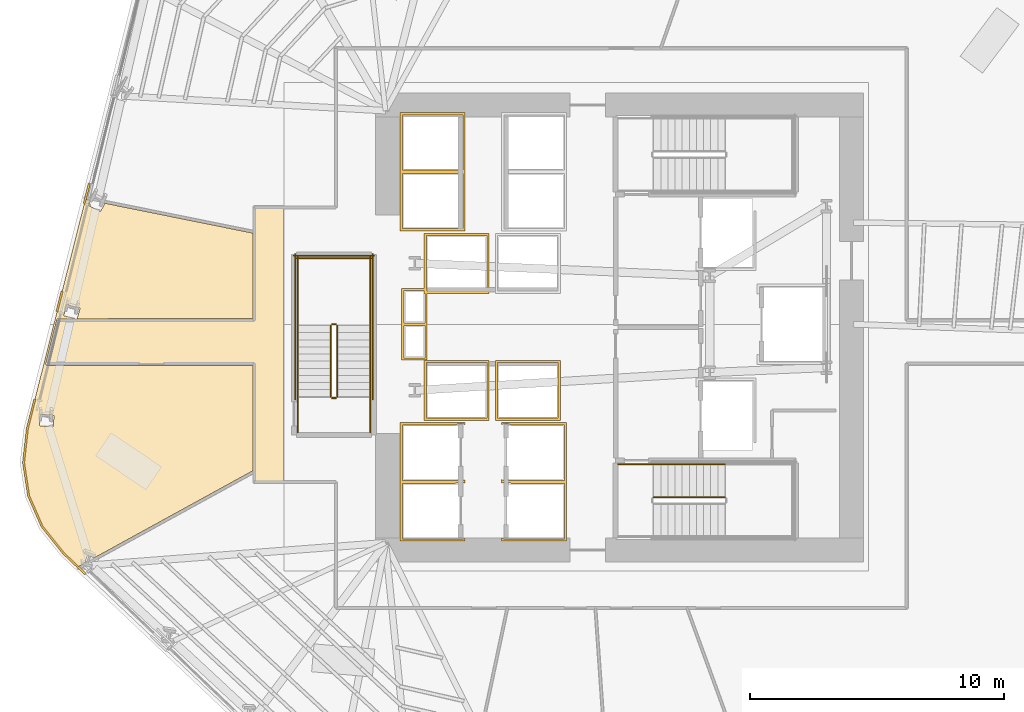
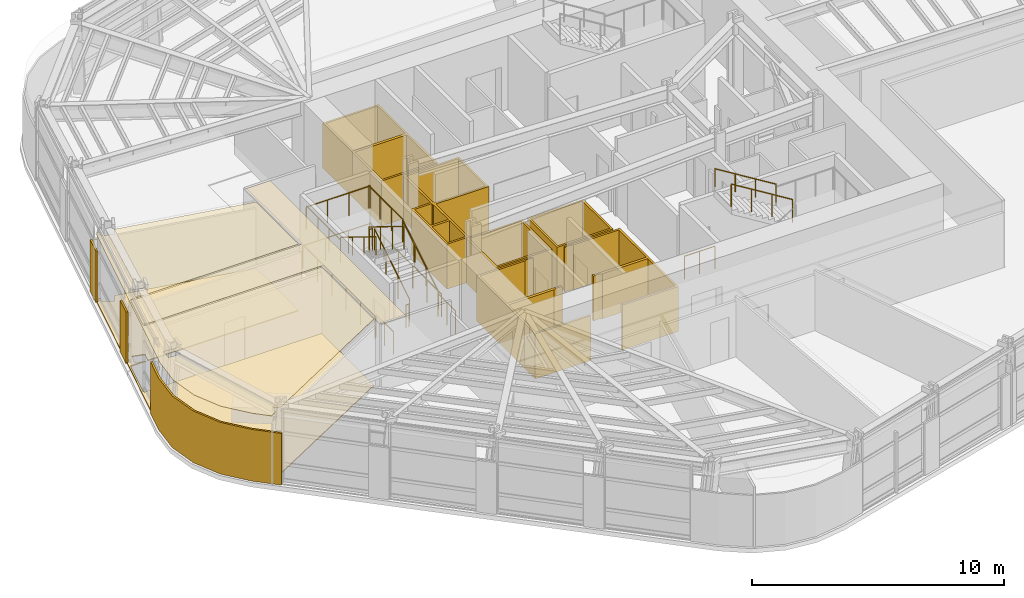
# One storey, part 11 of 15: 17 railings, 12 coverings.
"""IFC4 building model written with IfcOpenShell, lengths in metres."""

import ifcopenshell
import ifcopenshell.guid

model = None  # the IFC model being written
_history = None  # IfcOwnerHistory: only IFC2X3 demands one
_inside = {}  # id of a spatial element -> (the spatial element, [elements in it])
_under = {}  # id of a project, library or spatial element -> (it, [spatial elements below it])
_declared = {}  # id of a project -> (the project, [libraries it declares])
_typed = {}  # id of a type object -> (the type object, [elements of that type])
_made_of = {}  # id of a material, layer set ... -> (it, [elements and type objects made of it])


def new_model(schema):
    """Start an empty IFC model of exactly this schema.

    Asked for "IFC4X3", IfcOpenShell would pick the latest addendum, in which some entities
    have other attributes; the version numbers below select the first issue.
    IFC2X3 requires an IfcOwnerHistory on every rooted entity: one is made here for all.
    """
    global model, _history
    if schema == "IFC4X3":
        model = ifcopenshell.file(schema_version=(4, 3, 0, 0))
    else:
        model = ifcopenshell.file(schema=schema)
    _inside.clear()
    _under.clear()
    _declared.clear()
    _typed.clear()
    _made_of.clear()
    _history = None
    if model.schema == "IFC2X3":
        org = make("IfcOrganization", Name="unknown")
        user = make(
            "IfcPersonAndOrganization",
            ThePerson=make("IfcPerson", FamilyName="unknown"),
            TheOrganization=org,
        )
        app = make(
            "IfcApplication",
            ApplicationDeveloper=org,
            Version="unknown",
            ApplicationFullName="unknown",
            ApplicationIdentifier="unknown",
        )
        _history = make(
            "IfcOwnerHistory",
            OwningUser=user,
            OwningApplication=app,
            ChangeAction="ADDED",
            CreationDate=0,
        )
    return model


def make(cls, **values):
    """One entity of the class cls with the attributes given. An attribute that is None is left unset."""
    return model.create_entity(
        cls, **{name: value for name, value in values.items() if value is not None}
    )


def rooted(cls, **values):
    """An entity with a GlobalId (a new one), such as an element, a storey or a relation."""
    return make(cls, GlobalId=ifcopenshell.guid.new(), OwnerHistory=_history, **values)


def si_unit(unit_type, name, prefix=None):
    """IfcSIUnit, for example si_unit("LENGTHUNIT", "METRE", prefix="MILLI")."""
    return make("IfcSIUnit", UnitType=unit_type, Prefix=prefix, Name=name)


def assignment(units):
    """IfcUnitAssignment: the units of a project."""
    return None if units is None else make("IfcUnitAssignment", Units=units)


def point(xyz):
    """IfcCartesianPoint."""
    return None if xyz is None else make("IfcCartesianPoint", Coordinates=xyz)


def direction(xyz):
    """IfcDirection."""
    return None if xyz is None else make("IfcDirection", DirectionRatios=xyz)


def frame(location, z_axis=None, x_axis=None):
    """IfcAxis2Placement3D, a coordinate frame: its origin and axes. An axis left out is left unset."""
    return make(
        "IfcAxis2Placement3D",
        Location=point(location),
        Axis=direction(z_axis),
        RefDirection=direction(x_axis),
    )


def frame_2d(location, x_axis=None):
    """IfcAxis2Placement2D, a coordinate frame in the plane: its origin and x axis."""
    return make(
        "IfcAxis2Placement2D", Location=point(location), RefDirection=direction(x_axis)
    )


def origin():
    """The frame at (0, 0, 0) with its axes left unset."""
    return frame((0.0, 0.0, 0.0))


def origin_2d():
    """The frame at (0, 0) in the plane with its x axis left unset."""
    return frame_2d((0.0, 0.0))


def place(relative_to, where):
    """IfcLocalPlacement: puts the frame where relative to a parent placement (None: the world)."""
    return make(
        "IfcLocalPlacement", PlacementRelTo=relative_to, RelativePlacement=where
    )


def context(
    kind, dimensions, precision=None, world=None, true_north=None, identifier=None
):
    """IfcGeometricRepresentationContext, for example the 3D "Model" context."""
    return make(
        "IfcGeometricRepresentationContext",
        ContextIdentifier=identifier,
        ContextType=kind,
        CoordinateSpaceDimension=dimensions,
        Precision=precision,
        WorldCoordinateSystem=world,
        TrueNorth=true_north,
    )


def subcontext(parent, identifier, kind, view, scale=None):
    """IfcGeometricRepresentationSubContext, for example "Body" below "Model"."""
    return make(
        "IfcGeometricRepresentationSubContext",
        ContextIdentifier=identifier,
        ContextType=kind,
        ParentContext=parent,
        TargetScale=scale,
        TargetView=view,
    )


def project(units=None, contexts=None):
    """IfcProject with its units and contexts."""
    return rooted(
        "IfcProject",
        Name="project",
        RepresentationContexts=contexts,
        UnitsInContext=assignment(units),
    )


def spatial(cls, under=None, at=None, **own):
    """A site, building, storey or space (cls), placed at a placement, below another one or the project."""
    s = rooted(cls, ObjectPlacement=at, **own)
    if under is not None:
        _under.setdefault(under.id(), (under, []))[1].append(s)
    return s


def polyline(points):
    """IfcPolyline through the points."""
    return make("IfcPolyline", Points=[point(p) for p in points])


def profile(cls, at=None, kind="AREA", **sizes):
    """A parametric profile (cls). Its sizes go by their IFC names, for example OverallWidth=200.0."""
    return make(cls, ProfileType=kind, Position=at, **sizes)


def circle(**sizes):
    """IfcCircleProfileDef."""
    return profile("IfcCircleProfileDef", **sizes)


def outline(outer, holes=None, kind="AREA"):
    """IfcArbitraryClosedProfileDef: a profile drawn as a closed curve; with holes, ...WithVoids."""
    if holes is None:
        return make("IfcArbitraryClosedProfileDef", ProfileType=kind, OuterCurve=outer)
    return make(
        "IfcArbitraryProfileDefWithVoids",
        ProfileType=kind,
        OuterCurve=outer,
        InnerCurves=holes,
    )


def extrude(swept, where, along, depth):
    """IfcExtrudedAreaSolid: the profile swept, set in the frame where, extruded along a direction by depth."""
    return make(
        "IfcExtrudedAreaSolid",
        SweptArea=swept,
        Position=where,
        ExtrudedDirection=direction(along),
        Depth=depth,
    )


def shape(context_of_items, identifier, shape_type, items):
    """IfcShapeRepresentation: the items that make up one representation, for example the "Body"."""
    return make(
        "IfcShapeRepresentation",
        ContextOfItems=context_of_items,
        RepresentationIdentifier=identifier,
        RepresentationType=shape_type,
        Items=items,
    )


def material(Name=None, Category=None):
    """IfcMaterial."""
    return make("IfcMaterial", Name=Name, Category=Category)


def layer(
    of_material, thickness, ventilated=None, Name=None, Category=None, Priority=None
):
    """IfcMaterialLayer: one layer of a wall or slab, of a material (None: an air gap)."""
    return make(
        "IfcMaterialLayer",
        Material=of_material,
        LayerThickness=thickness,
        IsVentilated=ventilated,
        Name=Name,
        Category=Category,
        Priority=Priority,
    )


def layer_set(layers, Name=None):
    """IfcMaterialLayerSet."""
    return make("IfcMaterialLayerSet", MaterialLayers=layers, LayerSetName=Name)


def made_of(thing, what):
    """Note that an element or type object is made of a material, layer set ...; save() writes the relation."""
    if what is not None:
        _made_of.setdefault(what.id(), (what, []))[1].append(thing)
    return thing


def type_object(cls, material=None, **own):
    """A type object (cls), such as IfcWallType, which elements share."""
    return made_of(rooted(cls, **own), material)


def element(
    cls,
    number,
    at=None,
    inside=None,
    cuts=None,
    type_object=None,
    material=None,
    context=None,
    identifier="Body",
    shape_type=None,
    held_by="IfcProductDefinitionShape",
    body=None,
    shapes=None,
    **own,
):
    """One element of the class cls, such as IfcWall. Its Tag is "e" and its number.

    at: its placement. inside: the storey or other place that contains it. cuts: it is an
    opening in that element (IfcRelVoidsElement). A single representation is given by context,
    identifier, shape_type and body (its items); several are given by shapes. held_by: the class
    of the entity that holds the representations. save() writes the other relations.
    """
    e = rooted(cls, Tag="e%d" % number, ObjectPlacement=at, **own)
    if body is not None:
        shapes = [shape(context, identifier, shape_type, body)]
    if shapes is not None:
        e.Representation = make(held_by, Representations=shapes)
    if inside is not None:
        _inside.setdefault(inside.id(), (inside, []))[1].append(e)
    if cuts is not None:
        rooted(
            "IfcRelVoidsElement", RelatingBuildingElement=cuts, RelatedOpeningElement=e
        )
    if type_object is not None:
        _typed.setdefault(type_object.id(), (type_object, []))[1].append(e)
    return made_of(e, material)


def aggregate(whole, parts):
    """IfcRelAggregates: a whole, such as a stair, and the parts it consists of."""
    return rooted("IfcRelAggregates", RelatingObject=whole, RelatedObjects=parts)


def save(model, path):
    """Write the relations noted so far, then the file.

    IfcRelAggregates (storeys below a building ...), IfcRelContainedInSpatialStructure (elements
    in a storey), IfcRelDefinesByType, IfcRelAssociatesMaterial and IfcRelDeclares: one each for
    every whole, place, type object, material and project.
    """
    for whole, parts in _under.values():
        aggregate(whole, parts)
    for where, things in _inside.values():
        rooted(
            "IfcRelContainedInSpatialStructure",
            RelatedElements=things,
            RelatingStructure=where,
        )
    for kind, things in _typed.values():
        rooted("IfcRelDefinesByType", RelatedObjects=things, RelatingType=kind)
    for what, things in _made_of.values():
        rooted("IfcRelAssociatesMaterial", RelatedObjects=things, RelatingMaterial=what)
    for by, libraries in _declared.values():
        rooted("IfcRelDeclares", RelatingContext=by, RelatedDefinitions=libraries)
    model.write(path)


model = new_model("IFC4")

# Units and contexts
model_context = context("Model", 3, precision=1e-05, world=origin(), true_north=direction((0.0, 1.0)))
body_context = subcontext(model_context, "Body", "Model", "MODEL_VIEW")
ifc_project = project(units=[si_unit("LENGTHUNIT", "METRE"), si_unit("AREAUNIT", "SQUARE_METRE"), si_unit("VOLUMEUNIT", "CUBIC_METRE"), si_unit("PLANEANGLEUNIT", "RADIAN"), si_unit("MASSUNIT", "GRAM", prefix="KILO")], contexts=[model_context])

# Site, building, storey
site_placement = place(None, origin())
site = spatial("IfcSite", under=ifc_project, at=site_placement, CompositionType="ELEMENT")
building_placement = place(site_placement, origin())
building = spatial("IfcBuilding", under=site, at=building_placement, Name="Valkerne Bourse Tower", CompositionType="ELEMENT")
storey_placement = place(building_placement, frame((0.0, 0.0, 93.39990234375)))
storey = spatial("IfcBuildingStorey", under=building, at=storey_placement, Name="L23", CompositionType="ELEMENT", Elevation=93.39990234375)

# Coverings
ifc_material_1 = material(Name="Mineral Fiber Acoustic Ceiling Tile", Category="acoustic")
ifc_layer_1 = layer(ifc_material_1, 0.02490234375)
ifc_layer_set_1 = layer_set([ifc_layer_1], Name="Mineral Fiber Acoustic Ceiling Tile")
covering_type_1 = type_object("IfcCoveringType", Name="COV-CEIL-ACT", PredefinedType="CEILING", material=ifc_layer_set_1)
covering_1_placement = place(storey_placement, frame((0.0, 0.0, 3.22998046875)))
element("IfcCovering", 1, at=covering_1_placement, inside=storey, type_object=covering_type_1, Name="L23 Suspended Ceiling 05", PredefinedType="CEILING", context=body_context, shape_type="SweptSolid", body=[
    extrude(outline(polyline([(23.5703125, 20.251220703125), (23.37060546875, 21.555419921875), (23.516357421875, 22.876220703125), (25.797607421875, 31.914794921875), (26.012451171875, 31.87158203125), (25.913818359375, 31.679443359375), (25.912841796875, 31.676513671875), (26.392578125, 31.430908203125), (26.56201171875, 31.760498046875), (32.381103515625, 30.586181640625), (32.381103515625, 27.218994140625), (25.473388671875, 27.21728515625), (25.5869140625, 27.627685546875), (25.5869140625, 27.630859375), (25.0673828125, 27.7734375), (24.947998046875, 27.34130859375), (24.94775390625, 27.33837890625), (25.388671875, 27.21728515625), (24.718505859375, 27.217041015625), (24.68701171875, 27.199462890625), (24.66845703125, 27.16748046875), (24.237060546875, 25.44970703125), (24.256103515625, 25.40234375), (24.27783203125, 25.386962890625), (24.305908203125, 25.381103515625), (32.381103515625, 25.381103515625), (32.381103515625, 21.2373046875), (26.134521484375, 17.806640625), (25.881591796875, 17.896728515625), (25.778564453125, 17.611083984375), (25.506103515625, 17.461669921875), (24.931396484375, 18.006103515625), (24.1005859375, 19.042724609375), (23.5703125, 20.251220703125)]), holes=[polyline([(24.5654296875, 23.418212890625), (24.028564453125, 23.460693359375), (23.9921875, 23.013916015625), (23.992919921875, 23.0107421875), (24.52978515625, 22.96826171875), (24.566162109375, 23.414794921875), (24.5654296875, 23.418212890625)])]), origin(), (0.0, 0.0, 1.0), 0.025146484375),
])
ifc_material_2 = material(Name="Bronze Anodised Aluminium AA 6063-T6", Category="aluminium")
ifc_layer_2 = layer(ifc_material_2, 0.030029296875)
ifc_layer_set_2 = layer_set([ifc_layer_2], Name="Bronze Anodised Aluminium AA 6063-T6")
covering_type_2 = type_object("IfcCoveringType", Name="COV-CEIL-METAL", PredefinedType="CEILING", material=ifc_layer_set_2)
covering_2_placement = place(storey_placement, frame((0.0, 0.0, 3.22998046875)))
element("IfcCovering", 2, at=covering_2_placement, inside=storey, type_object=covering_type_2, Name="L23 Suspended Ceiling 02", PredefinedType="CEILING", context=body_context, shape_type="SweptSolid", body=[
    extrude(outline(polyline([(32.4541015625, 20.803955078125), (32.4541015625, 25.4541015625), (24.311279296875, 25.4541015625), (24.73828125, 27.14599609375), (32.4541015625, 27.14599609375), (32.4541015625, 31.595947265625), (33.60009765625, 31.595947265625), (33.60009765625, 20.803955078125), (32.4541015625, 20.803955078125)])), origin(), (0.0, 0.0, 1.0), 0.025146484375),
])
ifc_layer_3 = layer(ifc_material_2, 0.06005859375)
ifc_layer_set_3 = layer_set([ifc_layer_3], Name="Bronze Anodised Aluminium AA 6063-T6")
covering_type_3 = type_object("IfcCoveringType", Name="COV-CRN-ALUM", PredefinedType="CLADDING", material=ifc_layer_set_3)
covering_3_placement = place(storey_placement, origin())
element("IfcCovering", 3, at=covering_3_placement, inside=storey, type_object=covering_type_3, Name="L23 Wind-Shaped Corner Aluminium Cladding 09", PredefinedType="CLADDING", context=body_context, shape_type="SweptSolid", body=[
    extrude(outline(polyline([(24.898681640625, 17.97607421875), (24.062744140625, 19.02001953125), (23.527587890625, 20.23876953125), (23.326171875, 21.554443359375), (23.472900390625, 22.8837890625), (23.7705078125, 24.0625), (23.84814453125, 24.04345703125), (23.552001953125, 22.86962890625), (23.406982421875, 21.55615234375), (23.60498046875, 20.26123046875), (24.131591796875, 19.061767578125), (24.957763671875, 18.030517578125), (25.8369140625, 17.197998046875), (25.781494140625, 17.140380859375), (24.898681640625, 17.97607421875)])), origin(), (0.0, 0.0, 1.0), 2.5),
])
covering_4_placement = place(storey_placement, origin())
element("IfcCovering", 4, at=covering_4_placement, inside=storey, type_object=covering_type_3, Name="L23 Wind-Shaped Corner Aluminium Cladding 10", PredefinedType="CLADDING", context=body_context, shape_type="SweptSolid", body=[
    extrude(outline(polyline([(24.843017578125, 28.312255859375), (24.920654296875, 28.293212890625), (24.715087890625, 27.478759765625), (24.637451171875, 27.497802734375), (24.843017578125, 28.312255859375)])), origin(), (0.0, 0.0, 1.0), 2.5),
])
covering_5_placement = place(storey_placement, origin())
element("IfcCovering", 5, at=covering_5_placement, inside=storey, type_object=covering_type_3, Name="L23 Wind-Shaped Corner Aluminium Cladding 11", PredefinedType="CLADDING", context=body_context, shape_type="SweptSolid", body=[
    extrude(outline(polyline([(25.91552734375, 32.562255859375), (25.993408203125, 32.543212890625), (25.78759765625, 31.728515625), (25.7099609375, 31.747802734375), (25.91552734375, 32.562255859375)])), origin(), (0.0, 0.0, 1.0), 2.5),
])
ifc_material_3 = material(Name="Galvanised Painted Steel", Category="steel")
ifc_layer_4 = layer(ifc_material_3, 0.044921875)
ifc_layer_set_4 = layer_set([ifc_layer_4], Name="Galvanised Painted Steel")
covering_type_4 = type_object("IfcCoveringType", Name="COV-FLR-RAF", PredefinedType="FLOORING", material=ifc_layer_set_4)
covering_6_placement = place(storey_placement, origin())
element("IfcCovering", 6, at=covering_6_placement, inside=storey, type_object=covering_type_4, Name="L23 Floor Finish 05", PredefinedType="FLOORING", context=body_context, shape_type="SweptSolid", body=[
    extrude(outline(polyline([(23.5703125, 20.251220703125), (23.37060546875, 21.555419921875), (23.516357421875, 22.876220703125), (25.797607421875, 31.914794921875), (26.012451171875, 31.87158203125), (25.913818359375, 31.679443359375), (25.912841796875, 31.676513671875), (26.392578125, 31.430908203125), (26.56201171875, 31.760498046875), (32.381103515625, 30.586181640625), (32.381103515625, 27.218994140625), (25.473388671875, 27.21728515625), (25.5869140625, 27.627685546875), (25.5869140625, 27.630859375), (25.0673828125, 27.7734375), (24.947998046875, 27.34130859375), (24.94775390625, 27.33837890625), (25.388671875, 27.21728515625), (24.718505859375, 27.217041015625), (24.68701171875, 27.199462890625), (24.66845703125, 27.16748046875), (24.237060546875, 25.44970703125), (24.256103515625, 25.40234375), (24.27783203125, 25.386962890625), (24.305908203125, 25.381103515625), (32.381103515625, 25.381103515625), (32.381103515625, 21.2373046875), (26.134521484375, 17.806640625), (25.881591796875, 17.896728515625), (25.778564453125, 17.611083984375), (25.506103515625, 17.461669921875), (24.931396484375, 18.006103515625), (24.1005859375, 19.042724609375), (23.5703125, 20.251220703125)]), holes=[polyline([(24.5654296875, 23.418212890625), (24.028564453125, 23.460693359375), (23.9921875, 23.013916015625), (23.992919921875, 23.0107421875), (24.52978515625, 22.96826171875), (24.566162109375, 23.414794921875), (24.5654296875, 23.418212890625)])]), origin(), (0.0, 0.0, 1.0), 0.045166015625),
])
ifc_material_4 = material(Name="Gypsum Shaftwall Liner Board", Category="gypsum")
ifc_layer_5 = layer(ifc_material_4, 0.080078125)
ifc_layer_set_5 = layer_set([ifc_layer_5], Name="Gypsum Shaftwall Liner Board")
covering_type_5 = type_object("IfcCoveringType", Name="COV-SHF-CLAD", PredefinedType="CLADDING", material=ifc_layer_set_5)
covering_7_placement = place(storey_placement, origin())
element("IfcCovering", 7, at=covering_7_placement, inside=storey, type_object=covering_type_5, Name="L23 Hoistway & Riser Shaftwall Liner 01", PredefinedType="CLADDING", context=body_context, shape_type="SweptSolid", body=[
    extrude(outline(polyline([(38.169921875, 23.1298828125), (40.72998046875, 23.1298828125), (40.72998046875, 23.052001953125), (40.72216796875, 23.0556640625), (40.6806640625, 23.070556640625), (40.6376953125, 23.081298828125), (40.593994140625, 23.087890625), (40.550048828125, 23.090087890625), (40.505859375, 23.087890625), (40.462158203125, 23.081298828125), (40.41943359375, 23.070556640625), (40.377685546875, 23.0556640625), (40.344482421875, 23.0400390625), (38.260009765625, 23.0400390625), (38.260009765625, 20.860107421875), (40.456787109375, 20.860107421875), (40.462158203125, 20.858642578125), (40.505859375, 20.852294921875), (40.550048828125, 20.85009765625), (40.593994140625, 20.852294921875), (40.6376953125, 20.858642578125), (40.6806640625, 20.869384765625), (40.72216796875, 20.88427734375), (40.72998046875, 20.887939453125), (40.72998046875, 20.830078125), (40.72998046875, 20.77001953125), (40.72998046875, 20.752197265625), (40.72216796875, 20.755615234375), (40.6806640625, 20.7705078125), (40.6376953125, 20.781494140625), (40.593994140625, 20.787841796875), (40.550048828125, 20.7900390625), (40.505859375, 20.787841796875), (40.462158203125, 20.781494140625), (40.41943359375, 20.7705078125), (40.377685546875, 20.755615234375), (40.344482421875, 20.739990234375), (38.260009765625, 20.739990234375), (38.260009765625, 18.56005859375), (40.456787109375, 18.56005859375), (40.462158203125, 18.55859375), (40.505859375, 18.55224609375), (40.550048828125, 18.550048828125), (40.593994140625, 18.55224609375), (40.6376953125, 18.55859375), (40.6806640625, 18.5693359375), (40.72216796875, 18.584228515625), (40.72998046875, 18.587890625), (40.72998046875, 18.469970703125), (38.169921875, 18.469970703125), (38.169921875, 20.77001953125), (38.169921875, 20.830078125), (38.169921875, 23.1298828125)])), origin(), (0.0, 0.0, 1.0), 2.18017578125),
])
covering_8_placement = place(storey_placement, origin())
element("IfcCovering", 8, at=covering_8_placement, inside=storey, type_object=covering_type_5, Name="L23 Hoistway & Riser Shaftwall Liner 02", PredefinedType="CLADDING", context=body_context, shape_type="SweptSolid", body=[
    extrude(outline(polyline([(41.679931640625, 23.219970703125), (39.1201171875, 23.219970703125), (39.1201171875, 25.580078125), (41.679931640625, 25.580078125), (41.679931640625, 23.219970703125)]), holes=[polyline([(39.2099609375, 25.489990234375), (39.2099609375, 23.31005859375), (41.590087890625, 23.31005859375), (41.590087890625, 25.489990234375), (39.2099609375, 25.489990234375)])]), origin(), (0.0, 0.0, 1.0), 2.18017578125),
])
covering_9_placement = place(storey_placement, origin())
element("IfcCovering", 9, at=covering_9_placement, inside=storey, type_object=covering_type_5, Name="L23 Hoistway & Riser Shaftwall Liner 03", PredefinedType="CLADDING", context=body_context, shape_type="SweptSolid", body=[
    extrude(outline(polyline([(44.47998046875, 23.219970703125), (41.919921875, 23.219970703125), (41.919921875, 25.580078125), (44.47998046875, 25.580078125), (44.47998046875, 23.219970703125)]), holes=[polyline([(42.010009765625, 25.489990234375), (42.010009765625, 23.31005859375), (44.389892578125, 23.31005859375), (44.389892578125, 25.489990234375), (42.010009765625, 25.489990234375)])]), origin(), (0.0, 0.0, 1.0), 2.18017578125),
])
covering_10_placement = place(storey_placement, origin())
element("IfcCovering", 10, at=covering_10_placement, inside=storey, type_object=covering_type_5, Name="L23 Hoistway & Riser Shaftwall Liner 04", PredefinedType="CLADDING", context=body_context, shape_type="SweptSolid", body=[
    extrude(outline(polyline([(38.239990234375, 28.409912109375), (39.1201171875, 28.409912109375), (39.1201171875, 30.580078125), (41.679931640625, 30.580078125), (41.679931640625, 28.219970703125), (39.239990234375, 28.219970703125), (39.239990234375, 27.0400390625), (39.239990234375, 26.9599609375), (39.239990234375, 25.590087890625), (38.239990234375, 25.590087890625), (38.239990234375, 26.9599609375), (38.239990234375, 27.0400390625), (38.239990234375, 28.409912109375)]), holes=[polyline([(39.2099609375, 30.489990234375), (39.2099609375, 28.409912109375), (39.239990234375, 28.409912109375), (39.239990234375, 28.31005859375), (41.590087890625, 28.31005859375), (41.590087890625, 30.489990234375), (39.2099609375, 30.489990234375)]), polyline([(38.330078125, 26.949951171875), (38.330078125, 25.679931640625), (39.14990234375, 25.679931640625), (39.14990234375, 26.949951171875), (38.330078125, 26.949951171875)]), polyline([(39.1201171875, 28.219970703125), (39.1201171875, 28.320068359375), (38.330078125, 28.320068359375), (38.330078125, 27.050048828125), (39.14990234375, 27.050048828125), (39.14990234375, 28.219970703125), (39.1201171875, 28.219970703125)])]), origin(), (0.0, 0.0, 1.0), 2.18017578125),
])
covering_11_placement = place(storey_placement, origin())
element("IfcCovering", 11, at=covering_11_placement, inside=storey, type_object=covering_type_5, Name="L23 Hoistway & Riser Shaftwall Liner 05", PredefinedType="CLADDING", context=body_context, shape_type="SweptSolid", body=[
    extrude(outline(polyline([(38.169921875, 35.330078125), (40.72998046875, 35.330078125), (40.72998046875, 33.030029296875), (40.72998046875, 32.969970703125), (40.72998046875, 30.669921875), (38.169921875, 30.669921875), (38.169921875, 32.969970703125), (38.169921875, 33.030029296875), (38.169921875, 35.330078125)]), holes=[polyline([(38.260009765625, 32.93994140625), (38.260009765625, 30.760009765625), (40.639892578125, 30.760009765625), (40.639892578125, 32.93994140625), (38.260009765625, 32.93994140625)]), polyline([(38.260009765625, 35.239990234375), (38.260009765625, 33.06005859375), (40.639892578125, 33.06005859375), (40.639892578125, 35.239990234375), (38.260009765625, 35.239990234375)])]), origin(), (0.0, 0.0, 1.0), 2.18017578125),
])
covering_12_placement = place(storey_placement, origin())
element("IfcCovering", 12, at=covering_12_placement, inside=storey, type_object=covering_type_5, Name="L23 Hoistway & Riser Shaftwall Liner 06", PredefinedType="CLADDING", context=body_context, shape_type="SweptSolid", body=[
    extrude(outline(polyline([(42.169921875, 20.830078125), (42.169921875, 20.887939453125), (42.177734375, 20.88427734375), (42.219482421875, 20.869384765625), (42.26220703125, 20.858642578125), (42.305908203125, 20.852294921875), (42.35009765625, 20.85009765625), (42.39404296875, 20.852294921875), (42.437744140625, 20.858642578125), (42.443115234375, 20.860107421875), (44.639892578125, 20.860107421875), (44.639892578125, 23.0400390625), (42.555419921875, 23.0400390625), (42.522216796875, 23.0556640625), (42.480712890625, 23.070556640625), (42.437744140625, 23.081298828125), (42.39404296875, 23.087890625), (42.35009765625, 23.090087890625), (42.305908203125, 23.087890625), (42.26220703125, 23.081298828125), (42.219482421875, 23.070556640625), (42.177734375, 23.0556640625), (42.169921875, 23.052001953125), (42.169921875, 23.1298828125), (44.72998046875, 23.1298828125), (44.72998046875, 20.830078125), (44.72998046875, 20.77001953125), (44.72998046875, 18.469970703125), (42.169921875, 18.469970703125), (42.169921875, 18.587890625), (42.177734375, 18.584228515625), (42.219482421875, 18.5693359375), (42.26220703125, 18.55859375), (42.305908203125, 18.55224609375), (42.35009765625, 18.550048828125), (42.39404296875, 18.55224609375), (42.437744140625, 18.55859375), (42.443115234375, 18.56005859375), (44.639892578125, 18.56005859375), (44.639892578125, 20.739990234375), (42.555419921875, 20.739990234375), (42.522216796875, 20.755615234375), (42.480712890625, 20.7705078125), (42.437744140625, 20.781494140625), (42.39404296875, 20.787841796875), (42.35009765625, 20.7900390625), (42.305908203125, 20.787841796875), (42.26220703125, 20.781494140625), (42.219482421875, 20.7705078125), (42.177734375, 20.755615234375), (42.169921875, 20.752197265625), (42.169921875, 20.77001953125), (42.169921875, 20.830078125)])), origin(), (0.0, 0.0, 1.0), 2.18017578125),
])

# Railings
railing_type_1 = type_object("IfcRailingType", Name="RLG-ST-GUARD-1120", PredefinedType="GUARDRAIL", material=ifc_material_3)
railing_1_placement = place(storey_placement, frame((50.949951171875, 20.199951171875, 2.07275390625)))
element("IfcRailing", 13, at=railing_1_placement, inside=storey, type_object=railing_type_1, Name="L23 ST-1 stair guard 6", PredefinedType="GUARDRAIL", context=body_context, shape_type="SweptSolid", body=[
    extrude(circle(Radius=0.02392578125, at=origin_2d()), frame((0.0, 0.0, 1.09619140625), z_axis=(-0.851089632645, 0.0, 0.525020415988), x_axis=(0.0, -1.0, 0.0)), (0.0, 0.0, 1.0), 3.2900390625),
    extrude(circle(Radius=0.02099609375, at=origin_2d()), origin(), (0.0, 0.0, 1.0), 1.072021484375),
    extrude(circle(Radius=0.02099609375, at=origin_2d()), frame((-0.933349609375, 0.0, 0.57568359375)), (0.0, 0.0, 1.0), 1.072021484375),
    extrude(circle(Radius=0.02099609375, at=origin_2d()), frame((-1.86669921875, 0.0, 1.151611328125)), (0.0, 0.0, 1.0), 1.072021484375),
    extrude(circle(Radius=0.02099609375, at=origin_2d()), frame((-2.800048828125, 0.0, 1.727294921875)), (0.0, 0.0, 1.0), 1.072021484375),
])
railing_2_placement = place(storey_placement, frame((46.75, 21.5, 0.0)))
element("IfcRailing", 14, at=railing_2_placement, inside=storey, type_object=railing_type_1, Name="L23 ST-1 stair guard 9", PredefinedType="GUARDRAIL", context=body_context, shape_type="SweptSolid", body=[
    extrude(circle(Radius=0.02392578125, at=origin_2d()), frame((0.0, 0.0, 1.09619140625), z_axis=(1.0, 0.0, 0.0), x_axis=(0.0, 1.0, 0.0)), (0.0, 0.0, 1.0), 1.39990234375),
    extrude(circle(Radius=0.02099609375, at=origin_2d()), origin(), (0.0, 0.0, 1.0), 1.072021484375),
    extrude(circle(Radius=0.02099609375, at=origin_2d()), frame((0.699951171875, 0.0, 0.0)), (0.0, 0.0, 1.0), 1.072021484375),
    extrude(circle(Radius=0.02099609375, at=origin_2d()), frame((1.39990234375, 0.0, 0.0)), (0.0, 0.0, 1.0), 1.072021484375),
])
railing_3_placement = place(storey_placement, frame((35.699951171875, 24.14990234375, 0.1728515625)))
element("IfcRailing", 15, at=railing_3_placement, inside=storey, type_object=railing_type_1, Name="L23 ST-3 stair guard 1", PredefinedType="GUARDRAIL", context=body_context, shape_type="SweptSolid", body=[
    extrude(circle(Radius=0.02392578125, at=origin_2d()), frame((0.0, 0.0, 1.09619140625), z_axis=(0.0, 0.851089632645, 0.525020415988), x_axis=(-1.0, 0.0, 0.0)), (0.0, 0.0, 1.0), 3.2900390625),
    extrude(circle(Radius=0.02099609375, at=origin_2d()), origin(), (0.0, 0.0, 1.0), 1.072021484375),
    extrude(circle(Radius=0.02099609375, at=origin_2d()), frame((0.0, 0.933349609375, 0.57568359375)), (0.0, 0.0, 1.0), 1.072021484375),
    extrude(circle(Radius=0.02099609375, at=origin_2d()), frame((0.0, 1.86669921875, 1.151611328125)), (0.0, 0.0, 1.0), 1.072021484375),
    extrude(circle(Radius=0.02099609375, at=origin_2d()), frame((0.0, 2.800048828125, 1.727294921875)), (0.0, 0.0, 1.0), 1.072021484375),
])
railing_4_placement = place(storey_placement, frame((35.64990234375, 27.0, 1.900146484375)))
element("IfcRailing", 16, at=railing_4_placement, inside=storey, type_object=railing_type_1, Name="L23 ST-3 stair guard 2", PredefinedType="GUARDRAIL", context=body_context, shape_type="SweptSolid", body=[
    extrude(circle(Radius=0.02392578125, at=origin_2d()), frame((0.0, 0.0, 1.09619140625), z_axis=(-1.0, 0.0, 0.0), x_axis=(0.0, -1.0, 0.0)), (0.0, 0.0, 1.0), 0.14990234375),
    extrude(circle(Radius=0.02099609375, at=origin_2d()), origin(), (0.0, 0.0, 1.0), 1.072021484375),
    extrude(circle(Radius=0.02099609375, at=origin_2d()), frame((-0.14990234375, 0.0, 0.0)), (0.0, 0.0, 1.0), 1.072021484375),
])
for number, where, name in (
    (17, (37.0, 26.949951171875, 1.900146484375), "L23 ST-3 stair guard 3"),
    (18, (34.14990234375, 26.949951171875, 1.900146484375), "L23 ST-3 stair guard 4"),
):
    element("IfcRailing", number, at=place(storey_placement, frame(where)), inside=storey, type_object=railing_type_1, Name=name, PredefinedType="GUARDRAIL", context=body_context, shape_type="SweptSolid", body=[
        extrude(circle(Radius=0.02392578125, at=origin_2d()), frame((0.0, 0.0, 1.09619140625), z_axis=(0.0, 1.0, 0.0), x_axis=(-1.0, 0.0, 0.0)), (0.0, 0.0, 1.0), 2.699951171875),
        extrude(circle(Radius=0.02099609375, at=origin_2d()), origin(), (0.0, 0.0, 1.0), 1.072021484375),
        extrude(circle(Radius=0.02099609375, at=origin_2d()), frame((0.0, 0.89990234375, 0.0)), (0.0, 0.0, 1.0), 1.072021484375),
        extrude(circle(Radius=0.02099609375, at=origin_2d()), frame((0.0, 1.800048828125, 0.0)), (0.0, 0.0, 1.0), 1.072021484375),
        extrude(circle(Radius=0.02099609375, at=origin_2d()), frame((0.0, 2.699951171875, 0.0)), (0.0, 0.0, 1.0), 1.072021484375),
    ])
railing_5_placement = place(storey_placement, frame((37.050048828125, 29.60009765625, 1.900146484375)))
element("IfcRailing", 19, at=railing_5_placement, inside=storey, type_object=railing_type_1, Name="L23 ST-3 stair guard 5", PredefinedType="GUARDRAIL", context=body_context, shape_type="SweptSolid", body=[
    extrude(circle(Radius=0.02392578125, at=origin_2d()), frame((0.0, 0.0, 1.09619140625), z_axis=(-1.0, 0.0, 0.0), x_axis=(0.0, -1.0, 0.0)), (0.0, 0.0, 1.0), 2.949951171875),
    extrude(circle(Radius=0.02099609375, at=origin_2d()), origin(), (0.0, 0.0, 1.0), 1.072021484375),
    extrude(circle(Radius=0.02099609375, at=origin_2d()), frame((-0.9833984375, 0.0, 0.0)), (0.0, 0.0, 1.0), 1.072021484375),
    extrude(circle(Radius=0.02099609375, at=origin_2d()), frame((-1.966552734375, 0.0, 0.0)), (0.0, 0.0, 1.0), 1.072021484375),
    extrude(circle(Radius=0.02099609375, at=origin_2d()), frame((-2.949951171875, 0.0, 0.0)), (0.0, 0.0, 1.0), 1.072021484375),
])
railing_6_placement = place(storey_placement, frame((35.449951171875, 26.949951171875, 2.07275390625)))
element("IfcRailing", 20, at=railing_6_placement, inside=storey, type_object=railing_type_1, Name="L23 ST-3 stair guard 6", PredefinedType="GUARDRAIL", context=body_context, shape_type="SweptSolid", body=[
    extrude(circle(Radius=0.02392578125, at=origin_2d()), frame((0.0, 0.0, 1.09619140625), z_axis=(0.0, -0.851089632645, 0.525020415988), x_axis=(1.0, 0.0, 0.0)), (0.0, 0.0, 1.0), 3.2900390625),
    extrude(circle(Radius=0.02099609375, at=origin_2d()), origin(), (0.0, 0.0, 1.0), 1.072021484375),
    extrude(circle(Radius=0.02099609375, at=origin_2d()), frame((0.0, -0.933349609375, 0.57568359375)), (0.0, 0.0, 1.0), 1.072021484375),
    extrude(circle(Radius=0.02099609375, at=origin_2d()), frame((0.0, -1.86669921875, 1.151611328125)), (0.0, 0.0, 1.0), 1.072021484375),
    extrude(circle(Radius=0.02099609375, at=origin_2d()), frame((0.0, -2.800048828125, 1.727294921875)), (0.0, 0.0, 1.0), 1.072021484375),
])
railing_7_placement = place(storey_placement, frame((35.64990234375, 24.10009765625, 0.0)))
element("IfcRailing", 21, at=railing_7_placement, inside=storey, type_object=railing_type_1, Name="L23 ST-3 stair guard 7", PredefinedType="GUARDRAIL", context=body_context, shape_type="SweptSolid", body=[
    extrude(circle(Radius=0.02392578125, at=origin_2d()), frame((0.0, 0.0, 1.09619140625), z_axis=(-1.0, 0.0, 0.0), x_axis=(0.0, -1.0, 0.0)), (0.0, 0.0, 1.0), 0.14990234375),
    extrude(circle(Radius=0.02099609375, at=origin_2d()), origin(), (0.0, 0.0, 1.0), 1.072021484375),
    extrude(circle(Radius=0.02099609375, at=origin_2d()), frame((-0.14990234375, 0.0, 0.0)), (0.0, 0.0, 1.0), 1.072021484375),
])
for number, where, name in (
    (22, (37.0, 22.75, 0.0), "L23 ST-3 stair guard 8"),
    (23, (34.14990234375, 22.75, 0.0), "L23 ST-3 stair guard 9"),
):
    element("IfcRailing", number, at=place(storey_placement, frame(where)), inside=storey, type_object=railing_type_1, Name=name, PredefinedType="GUARDRAIL", context=body_context, shape_type="SweptSolid", body=[
        extrude(circle(Radius=0.02392578125, at=origin_2d()), frame((0.0, 0.0, 1.09619140625), z_axis=(0.0, 1.0, 0.0), x_axis=(-1.0, 0.0, 0.0)), (0.0, 0.0, 1.0), 1.39990234375),
        extrude(circle(Radius=0.02099609375, at=origin_2d()), origin(), (0.0, 0.0, 1.0), 1.072021484375),
        extrude(circle(Radius=0.02099609375, at=origin_2d()), frame((0.0, 0.699951171875, 0.0)), (0.0, 0.0, 1.0), 1.072021484375),
        extrude(circle(Radius=0.02099609375, at=origin_2d()), frame((0.0, 1.39990234375, 0.0)), (0.0, 0.0, 1.0), 1.072021484375),
    ])
for number, where, name in (
    (24, (37.10009765625, 24.050048828125, 0.0), "L23 ST-3 stair guard 10"),
    (25, (34.050048828125, 24.050048828125, 0.0), "L23 ST-3 stair guard 11"),
):
    element("IfcRailing", number, at=place(storey_placement, frame(where)), inside=storey, type_object=railing_type_1, Name=name, PredefinedType="GUARDRAIL", context=body_context, shape_type="SweptSolid", body=[
        extrude(circle(Radius=0.02392578125, at=origin_2d()), frame((0.0, 0.0, 1.09619140625), z_axis=(0.0, 1.0, 0.0), x_axis=(-1.0, 0.0, 0.0)), (0.0, 0.0, 1.0), 5.699951171875),
        extrude(circle(Radius=0.02099609375, at=origin_2d()), origin(), (0.0, 0.0, 1.0), 1.072021484375),
        extrude(circle(Radius=0.02099609375, at=origin_2d()), frame((0.0, 1.139892578125, 0.0)), (0.0, 0.0, 1.0), 1.072021484375),
        extrude(circle(Radius=0.02099609375, at=origin_2d()), frame((0.0, 2.280029296875, 0.0)), (0.0, 0.0, 1.0), 1.072021484375),
        extrude(circle(Radius=0.02099609375, at=origin_2d()), frame((0.0, 3.419921875, 0.0)), (0.0, 0.0, 1.0), 1.072021484375),
        extrude(circle(Radius=0.02099609375, at=origin_2d()), frame((0.0, 4.56005859375, 0.0)), (0.0, 0.0, 1.0), 1.072021484375),
        extrude(circle(Radius=0.02099609375, at=origin_2d()), frame((0.0, 5.699951171875, 0.0)), (0.0, 0.0, 1.0), 1.072021484375),
    ])
railing_8_placement = place(storey_placement, frame((37.14990234375, 29.699951171875, 0.0)))
element("IfcRailing", 26, at=railing_8_placement, inside=storey, type_object=railing_type_1, Name="L23 ST-3 stair guard 12", PredefinedType="GUARDRAIL", context=body_context, shape_type="SweptSolid", body=[
    extrude(circle(Radius=0.02392578125, at=origin_2d()), frame((0.0, 0.0, 1.09619140625), z_axis=(-1.0, 0.0, 0.0), x_axis=(0.0, -1.0, 0.0)), (0.0, 0.0, 1.0), 3.14990234375),
    extrude(circle(Radius=0.02099609375, at=origin_2d()), origin(), (0.0, 0.0, 1.0), 1.072021484375),
    extrude(circle(Radius=0.02099609375, at=origin_2d()), frame((-1.050048828125, 0.0, 0.0)), (0.0, 0.0, 1.0), 1.072021484375),
    extrude(circle(Radius=0.02099609375, at=origin_2d()), frame((-2.099853515625, 0.0, 0.0)), (0.0, 0.0, 1.0), 1.072021484375),
    extrude(circle(Radius=0.02099609375, at=origin_2d()), frame((-3.14990234375, 0.0, 0.0)), (0.0, 0.0, 1.0), 1.072021484375),
])
ifc_material_5 = material(Name="Stainless Steel AISI 316", Category="steel")
railing_type_2 = type_object("IfcRailingType", Name="RLG-ST-HANDRAIL-900", PredefinedType="HANDRAIL", material=ifc_material_5)
railing_9_placement = place(storey_placement, frame((50.949951171875, 21.5, 2.24560546875)))
element("IfcRailing", 27, at=railing_9_placement, inside=storey, type_object=railing_type_2, Name="L23 ST-1 stair handrail 2", PredefinedType="HANDRAIL", context=body_context, shape_type="SweptSolid", body=[
    extrude(circle(Radius=0.02392578125, at=origin_2d()), frame((0.0, 0.0, 0.8759765625), z_axis=(-0.851089632645, 0.0, 0.525020415988), x_axis=(0.0, -1.0, 0.0)), (0.0, 0.0, 1.0), 3.2900390625),
    extrude(circle(Radius=0.02099609375, at=origin_2d()), origin(), (0.0, 0.0, 1.0), 0.851806640625),
    extrude(circle(Radius=0.02099609375, at=origin_2d()), frame((-0.933349609375, 0.0, 0.57568359375)), (0.0, 0.0, 1.0), 0.851806640625),
    extrude(circle(Radius=0.02099609375, at=origin_2d()), frame((-1.86669921875, 0.0, 1.151611328125)), (0.0, 0.0, 1.0), 0.851806640625),
    extrude(circle(Radius=0.02099609375, at=origin_2d()), frame((-2.800048828125, 0.0, 1.727294921875)), (0.0, 0.0, 1.0), 0.851806640625),
])
railing_10_placement = place(storey_placement, frame((37.0, 24.14990234375, 0.345458984375)))
element("IfcRailing", 28, at=railing_10_placement, inside=storey, type_object=railing_type_2, Name="L23 ST-3 stair handrail 1", PredefinedType="HANDRAIL", context=body_context, shape_type="SweptSolid", body=[
    extrude(circle(Radius=0.02392578125, at=origin_2d()), frame((0.0, 0.0, 0.8759765625), z_axis=(0.0, 0.851089632645, 0.525020415988), x_axis=(-1.0, 0.0, 0.0)), (0.0, 0.0, 1.0), 3.2900390625),
    extrude(circle(Radius=0.02099609375, at=origin_2d()), origin(), (0.0, 0.0, 1.0), 0.851806640625),
    extrude(circle(Radius=0.02099609375, at=origin_2d()), frame((0.0, 0.933349609375, 0.57568359375)), (0.0, 0.0, 1.0), 0.851806640625),
    extrude(circle(Radius=0.02099609375, at=origin_2d()), frame((0.0, 1.86669921875, 1.151611328125)), (0.0, 0.0, 1.0), 0.851806640625),
    extrude(circle(Radius=0.02099609375, at=origin_2d()), frame((0.0, 2.800048828125, 1.727294921875)), (0.0, 0.0, 1.0), 0.851806640625),
])
railing_11_placement = place(storey_placement, frame((34.14990234375, 26.949951171875, 2.24560546875)))
element("IfcRailing", 29, at=railing_11_placement, inside=storey, type_object=railing_type_2, Name="L23 ST-3 stair handrail 2", PredefinedType="HANDRAIL", context=body_context, shape_type="SweptSolid", body=[
    extrude(circle(Radius=0.02392578125, at=origin_2d()), frame((0.0, 0.0, 0.8759765625), z_axis=(0.0, -0.851089632645, 0.525020415988), x_axis=(1.0, 0.0, 0.0)), (0.0, 0.0, 1.0), 3.2900390625),
    extrude(circle(Radius=0.02099609375, at=origin_2d()), origin(), (0.0, 0.0, 1.0), 0.851806640625),
    extrude(circle(Radius=0.02099609375, at=origin_2d()), frame((0.0, -0.933349609375, 0.57568359375)), (0.0, 0.0, 1.0), 0.851806640625),
    extrude(circle(Radius=0.02099609375, at=origin_2d()), frame((0.0, -1.86669921875, 1.151611328125)), (0.0, 0.0, 1.0), 0.851806640625),
    extrude(circle(Radius=0.02099609375, at=origin_2d()), frame((0.0, -2.800048828125, 1.727294921875)), (0.0, 0.0, 1.0), 0.851806640625),
])

save(model, "model.ifc")
